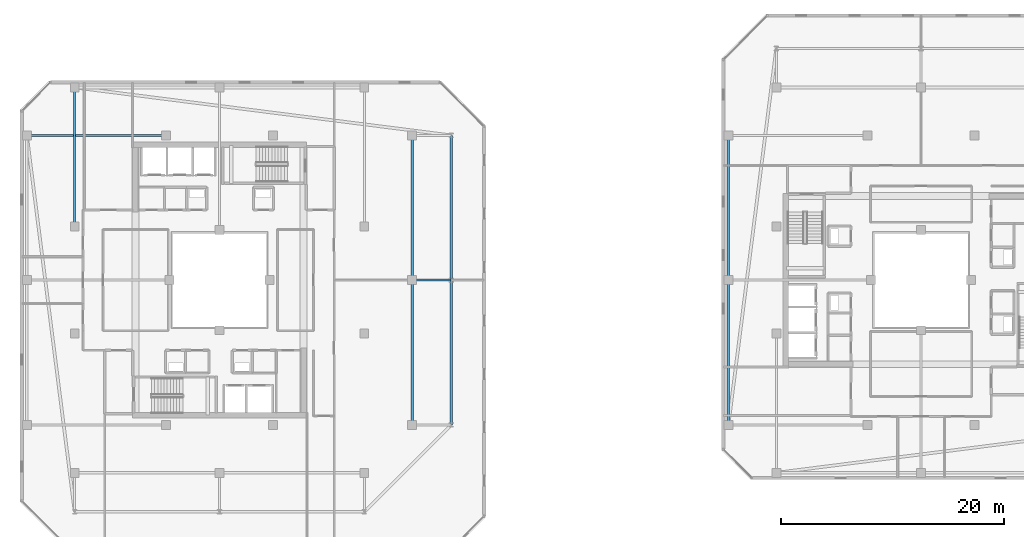
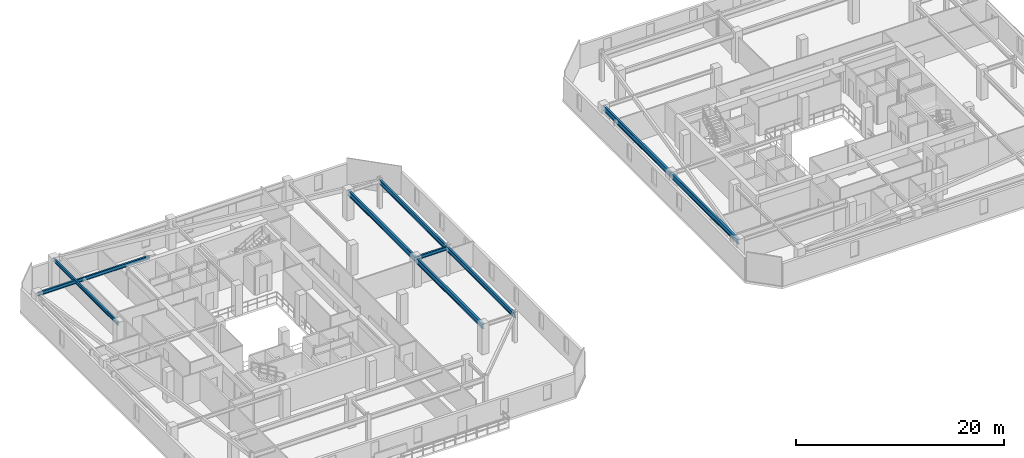
# One storey, part 9 of 34: 9 beams.
"""IFC4 building model written with IfcOpenShell, lengths in metres."""

from ifc_helpers import new_model, si_unit, direction, frame, origin, origin_2d, place, context, subcontext, project, spatial, i_section, extrude, material, material_profile, profile_set, type_object, element, save


model = new_model("IFC4")

# Units and contexts
model_context = context("Model", 3, precision=1e-05, world=origin(), true_north=direction((0.0, 1.0)))
body_context = subcontext(model_context, "Body", "Model", "MODEL_VIEW")
ifc_project = project(units=[si_unit("LENGTHUNIT", "METRE"), si_unit("AREAUNIT", "SQUARE_METRE"), si_unit("VOLUMEUNIT", "CUBIC_METRE"), si_unit("PLANEANGLEUNIT", "RADIAN"), si_unit("MASSUNIT", "GRAM", prefix="KILO")], contexts=[model_context])

# Site, building, storey
site_placement = place(None, origin())
site = spatial("IfcSite", under=ifc_project, at=site_placement, CompositionType="ELEMENT")
building_placement = place(site_placement, origin())
building = spatial("IfcBuilding", under=site, at=building_placement, Name="Thornwick Lancets Civic Towers", CompositionType="ELEMENT")
storey_placement = place(building_placement, frame((0.0, 0.0, 258.300048828125)))
storey = spatial("IfcBuildingStorey", under=building, at=storey_placement, Name="L69", CompositionType="ELEMENT", Elevation=258.300048828125)

# Beams
ifc_material = material(Name="Steel S355JR", Category="steel")
ifc_material_profile_1 = material_profile(ifc_material, i_section(OverallWidth=0.210693359375, OverallDepth=0.53955078125, WebThickness=0.01171875, FlangeThickness=0.018798828125, FilletRadius=0.0126953125, at=origin_2d()), Name="UKB 533x210x109")
ifc_profile_set_1 = profile_set([ifc_material_profile_1], Name="Steel S355JR")
beam_type_1 = type_object("IfcBeamType", Name="BM_EDGE_533_109", PredefinedType="SPANDREL", material=ifc_profile_set_1)
beam_1_placement = place(storey_placement, frame((46.300048828125, 14.0, 3.09033203125), z_axis=(0.0, 1.0, 0.0), x_axis=(-1.0, 0.0, 0.0)))
element("IfcBeam", 1, at=beam_1_placement, inside=storey, type_object=beam_type_1, Name="BM-EDGE-L69-A-S1-1", PredefinedType="SPANDREL", context=body_context, shape_type="SweptSolid", body=[
    extrude(i_section(OverallWidth=0.210693359375, OverallDepth=0.53955078125, WebThickness=0.01171875, FlangeThickness=0.018798828125, FilletRadius=0.0126953125, at=origin_2d()), origin(), (0.0, 0.0, 1.0), 13.0),
])
beam_2_placement = place(storey_placement, frame((46.300048828125, 27.080078125, 3.09033203125), z_axis=(0.0, 1.0, 0.0), x_axis=(-1.0, 0.0, 0.0)))
element("IfcBeam", 2, at=beam_2_placement, inside=storey, type_object=beam_type_1, Name="BM-EDGE-L69-A-S1-2", PredefinedType="SPANDREL", context=body_context, shape_type="SweptSolid", body=[
    extrude(i_section(OverallWidth=0.210693359375, OverallDepth=0.53955078125, WebThickness=0.01171875, FlangeThickness=0.018798828125, FilletRadius=0.0126953125, at=origin_2d()), origin(), (0.0, 0.0, 1.0), 12.919921875),
])
ifc_material_profile_2 = material_profile(ifc_material, i_section(OverallWidth=0.230224609375, OverallDepth=0.6171875, WebThickness=0.01318359375, FlangeThickness=0.022216796875, FilletRadius=0.0126953125, at=origin_2d()), Name="UKB 610x229x140")
ifc_profile_set_2 = profile_set([ifc_material_profile_2], Name="Steel S355JR")
beam_type_2 = type_object("IfcBeamType", Name="BM_GIRD_610_140", PredefinedType="BEAM", material=ifc_profile_set_2)
beam_3_placement = place(storey_placement, frame((42.800048828125, 14.0, 3.05126953125), z_axis=(0.0, 1.0, 0.0), x_axis=(-1.0, 0.0, 0.0)))
element("IfcBeam", 3, at=beam_3_placement, inside=storey, type_object=beam_type_2, Name="BM-SPINE-L69-A-3-4", PredefinedType="BEAM", context=body_context, shape_type="SweptSolid", body=[
    extrude(i_section(OverallWidth=0.230224609375, OverallDepth=0.6171875, WebThickness=0.01318359375, FlangeThickness=0.022216796875, FilletRadius=0.0126953125, at=origin_2d()), origin(), (0.0, 0.0, 1.0), 13.0),
])
beam_4_placement = place(storey_placement, frame((42.800048828125, 27.080078125, 3.05126953125), z_axis=(0.0, 1.0, 0.0), x_axis=(-1.0, 0.0, 0.0)))
element("IfcBeam", 4, at=beam_4_placement, inside=storey, type_object=beam_type_2, Name="BM-SPINE-L69-A-4-5", PredefinedType="BEAM", context=body_context, shape_type="SweptSolid", body=[
    extrude(i_section(OverallWidth=0.230224609375, OverallDepth=0.6171875, WebThickness=0.01318359375, FlangeThickness=0.022216796875, FilletRadius=0.0126953125, at=origin_2d()), origin(), (0.0, 0.0, 1.0), 12.919921875),
])
beam_5_placement = place(storey_placement, frame((71.199951171875, 14.0, 3.05126953125), z_axis=(0.0, 1.0, 0.0), x_axis=(-1.0, 0.0, 0.0)))
element("IfcBeam", 5, at=beam_5_placement, inside=storey, type_object=beam_type_2, Name="BM-SPINE-L69-B-6-7", PredefinedType="BEAM", context=body_context, shape_type="SweptSolid", body=[
    extrude(i_section(OverallWidth=0.230224609375, OverallDepth=0.6171875, WebThickness=0.01318359375, FlangeThickness=0.022216796875, FilletRadius=0.0126953125, at=origin_2d()), origin(), (0.0, 0.0, 1.0), 13.0),
])
beam_6_placement = place(storey_placement, frame((71.199951171875, 27.080078125, 3.05126953125), z_axis=(0.0, 1.0, 0.0), x_axis=(-1.0, 0.0, 0.0)))
element("IfcBeam", 6, at=beam_6_placement, inside=storey, type_object=beam_type_2, Name="BM-SPINE-L69-B-7-8", PredefinedType="BEAM", context=body_context, shape_type="SweptSolid", body=[
    extrude(i_section(OverallWidth=0.230224609375, OverallDepth=0.6171875, WebThickness=0.01318359375, FlangeThickness=0.022216796875, FilletRadius=0.0126953125, at=origin_2d()), origin(), (0.0, 0.0, 1.0), 12.919921875),
])
ifc_material_profile_3 = material_profile(ifc_material, i_section(OverallWidth=0.179443359375, OverallDepth=0.412841796875, WebThickness=0.009521484375, FlangeThickness=0.01611328125, FilletRadius=0.01025390625, at=origin_2d()), Name="UKB 406x178x74")
ifc_profile_set_3 = profile_set([ifc_material_profile_3], Name="Steel S355JR")
beam_type_3 = type_object("IfcBeamType", Name="BM_JOIST_406_74", PredefinedType="JOIST", material=ifc_profile_set_3)
beam_7_placement = place(storey_placement, frame((42.800048828125, 27.0, 3.153564453125), z_axis=(1.0, 0.0, 0.0), x_axis=(0.0, 1.0, 0.0)))
element("IfcBeam", 7, at=beam_7_placement, inside=storey, type_object=beam_type_3, Name="BM-RAD-L69-A05", PredefinedType="JOIST", context=body_context, shape_type="SweptSolid", body=[
    extrude(i_section(OverallWidth=0.179443359375, OverallDepth=0.412841796875, WebThickness=0.009521484375, FlangeThickness=0.01611328125, FilletRadius=0.01025390625, at=origin_2d()), origin(), (0.0, 0.0, 1.0), 3.5),
])
for number, where, z_axis, x_axis, name in (
    (8, (12.5, 31.800048828125, 3.153564453125), (0.0, 1.0, 0.0), (-1.0, 0.0, 0.0), "BM-RADIN-L69-A07"),
    (9, (20.699951171875, 40.0, 3.153564453125), (-1.0, 0.0, 0.0), (0.0, -1.0, 0.0), "BM-RADIN-L69-A12"),
):
    element("IfcBeam", number, at=place(storey_placement, frame(where, z_axis=z_axis, x_axis=x_axis)), inside=storey, type_object=beam_type_3, Name=name, PredefinedType="JOIST", context=body_context, shape_type="SweptSolid", body=[
        extrude(i_section(OverallWidth=0.179443359375, OverallDepth=0.412841796875, WebThickness=0.009521484375, FlangeThickness=0.01611328125, FilletRadius=0.01025390625, at=origin_2d()), origin(), (0.0, 0.0, 1.0), 12.5),
    ])

save(model, "model.ifc")
